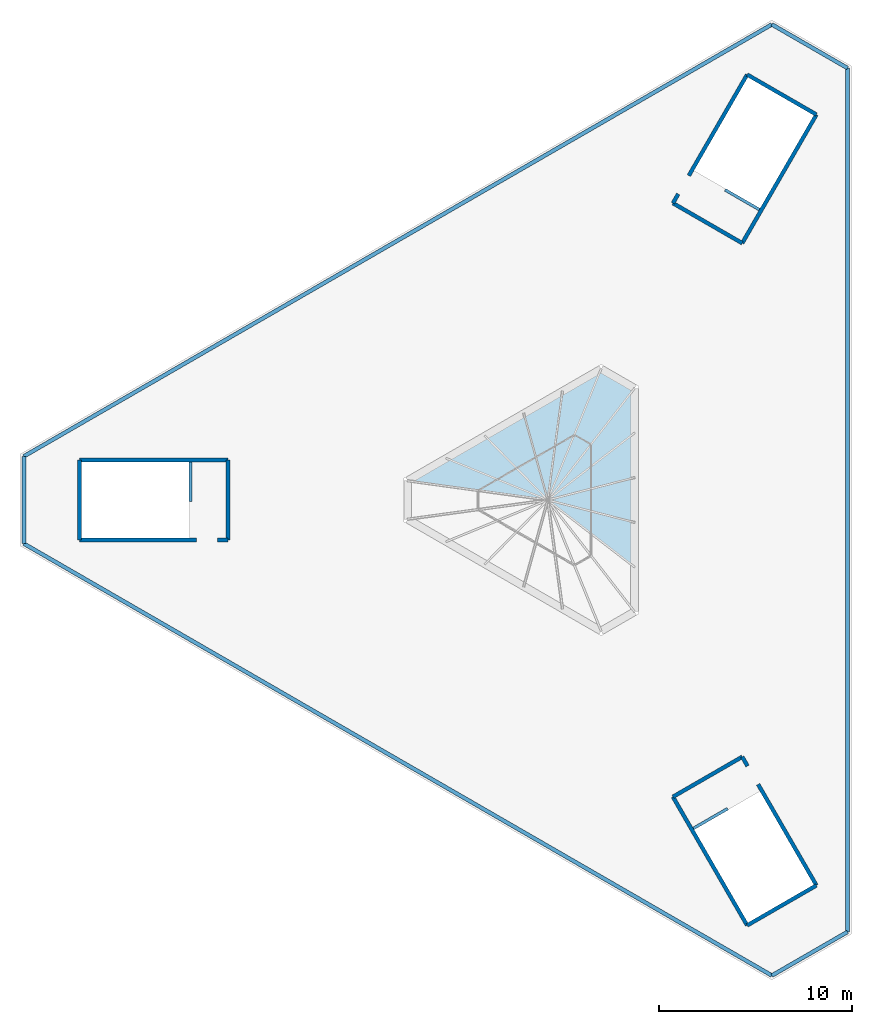
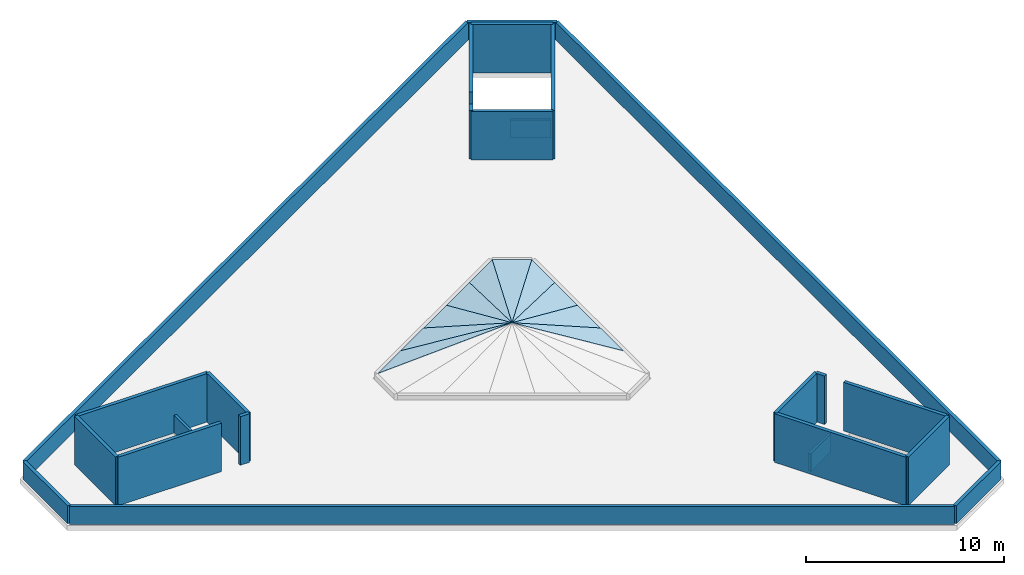
# One storey, part 2 of 2: 24 walls, 10 plates, 10 elements without a shape of their own.
"""IFC4 building model written with IfcOpenShell, lengths in metres."""

from ifc_helpers import new_model, si_unit, direction, frame, frame_2d, origin, place, context, subcontext, project, spatial, polyline, rectangle, outline, extrude, material, layer, layer_set, type_object, element, aggregate, save


model = new_model("IFC4")

# Units and contexts
model_context = context("Model", 3, precision=1e-05, world=origin(), true_north=direction((0.0, 1.0)))
body_context = subcontext(model_context, "Body", "Model", "MODEL_VIEW")
ifc_project = project(units=[si_unit("LENGTHUNIT", "METRE"), si_unit("AREAUNIT", "SQUARE_METRE"), si_unit("VOLUMEUNIT", "CUBIC_METRE"), si_unit("PLANEANGLEUNIT", "RADIAN"), si_unit("MASSUNIT", "GRAM", prefix="KILO")], contexts=[model_context])

# Site, building, storey
site_placement = place(None, origin())
site = spatial("IfcSite", under=ifc_project, at=site_placement, CompositionType="ELEMENT")
building_placement = place(site_placement, origin())
building = spatial("IfcBuilding", under=site, at=building_placement, Name="Jabali Bay Hotel Tower and Convention Centre", CompositionType="ELEMENT")
storey_placement = place(building_placement, frame((0.0, 0.0, 322.300048828125)))
storey = spatial("IfcBuildingStorey", under=building, at=storey_placement, Name="Roof", CompositionType="ELEMENT", Elevation=322.300048828125)

# Curtain wall, plate
ifc_material_1 = material(Name="Steel and glass", Category="steel")
ifc_layer_1 = layer(ifc_material_1, 0.199951171875)
ifc_layer_set_1 = layer_set([ifc_layer_1], Name="Steel and glass")
curtain_wall_type = type_object("IfcCurtainWallType", Name="CW7 sloped glazing", PredefinedType="NOTDEFINED", material=ifc_layer_set_1)
curtain_wall_1_placement = place(storey_placement, origin())
curtain_wall_1 = element("IfcCurtainWall", 1, at=curtain_wall_1_placement, inside=storey, type_object=curtain_wall_type, Name="CW7 sloped glazing atrium roof", PredefinedType="NOTDEFINED")
ifc_material_2 = material(Name="Glass", Category="glass")
ifc_layer_2 = layer(ifc_material_2, 0.0400390625)
ifc_layer_set_2 = layer_set([ifc_layer_2], Name="Glass")
plate_type = type_object("IfcPlateType", Name="CW7 glass panel 40", PredefinedType="CURTAIN_PANEL", material=ifc_layer_set_2)
plate_1_placement = place(storey_placement, frame((79.5, 76.5234375, 0.300048828125), z_axis=(0.257652862255, 0.0, 0.966237549763), x_axis=(0.0, 1.0, 0.0)))
plate_1 = element("IfcPlate", 2, at=plate_1_placement, type_object=plate_type, Name="Atrium skylight panel", PredefinedType="CURTAIN_PANEL", context=body_context, shape_type="SweptSolid", body=[
    extrude(outline(polyline([(0.0, 0.0), (2.31787109375, 0.0), (3.4765625, 4.6572265625), (0.0, 0.0)])), origin(), (0.0, 0.0, -1.0), 0.0400390625),
])
aggregate(curtain_wall_1, [plate_1])

curtain_wall_2_placement = place(storey_placement, origin())
curtain_wall_2 = element("IfcCurtainWall", 3, at=curtain_wall_2_placement, inside=storey, type_object=curtain_wall_type, Name="CW7 sloped glazing atrium roof", PredefinedType="NOTDEFINED")
plate_2_placement = place(storey_placement, frame((79.5, 78.84130859375, 0.300048828125), z_axis=(0.257652862255, 0.0, 0.966237549763), x_axis=(0.0, 1.0, 0.0)))
plate_2 = element("IfcPlate", 4, at=plate_2_placement, type_object=plate_type, Name="Atrium skylight panel", PredefinedType="CURTAIN_PANEL", context=body_context, shape_type="SweptSolid", body=[
    extrude(outline(polyline([(0.0, 0.0), (2.3173828125, 0.0), (1.15869140625, 4.6572265625), (0.0, 0.0)])), origin(), (0.0, 0.0, -1.0), 0.0400390625),
])
aggregate(curtain_wall_2, [plate_2])

curtain_wall_3_placement = place(storey_placement, origin())
curtain_wall_3 = element("IfcCurtainWall", 5, at=curtain_wall_3_placement, inside=storey, type_object=curtain_wall_type, Name="CW7 sloped glazing atrium roof", PredefinedType="NOTDEFINED")
plate_3_placement = place(storey_placement, frame((79.5, 81.15869140625, 0.300048828125), z_axis=(0.257652862255, 0.0, 0.966237549763), x_axis=(0.0, 1.0, 0.0)))
plate_3 = element("IfcPlate", 6, at=plate_3_placement, type_object=plate_type, Name="Atrium skylight panel", PredefinedType="CURTAIN_PANEL", context=body_context, shape_type="SweptSolid", body=[
    extrude(outline(polyline([(0.0, 0.0), (2.31787109375, 0.0), (-1.15869140625, 4.6572265625), (0.0, 0.0)])), origin(), (0.0, 0.0, -1.0), 0.0400390625),
])
aggregate(curtain_wall_3, [plate_3])

curtain_wall_4_placement = place(storey_placement, origin())
curtain_wall_4 = element("IfcCurtainWall", 7, at=curtain_wall_4_placement, inside=storey, type_object=curtain_wall_type, Name="CW7 sloped glazing atrium roof", PredefinedType="NOTDEFINED")
plate_4_placement = place(storey_placement, frame((79.5, 83.4765625, 0.300048828125), z_axis=(0.257652862255, 0.0, 0.966237549763), x_axis=(0.0, 1.0, 0.0)))
plate_4 = element("IfcPlate", 8, at=plate_4_placement, type_object=plate_type, Name="Atrium skylight panel", PredefinedType="CURTAIN_PANEL", context=body_context, shape_type="SweptSolid", body=[
    extrude(outline(polyline([(0.0, 0.0), (2.317626953125, 0.0), (-3.4765625, 4.6572265625), (0.0, 0.0)])), origin(), (0.0, 0.0, -1.0), 0.0400390625),
])
aggregate(curtain_wall_4, [plate_4])

curtain_wall_5_placement = place(storey_placement, origin())
curtain_wall_5 = element("IfcCurtainWall", 9, at=curtain_wall_5_placement, inside=storey, type_object=curtain_wall_type, Name="CW7 sloped glazing atrium roof", PredefinedType="NOTDEFINED")
plate_5_placement = place(storey_placement, frame((79.5, 85.794189453125, 0.300048828125), z_axis=(0.081444499003, 0.14107634776, 0.986642923091), x_axis=(-0.866041268327, 0.499972520799, 0.0)))
plate_5 = element("IfcPlate", 10, at=plate_5_placement, type_object=plate_type, Name="Atrium skylight panel", PredefinedType="CURTAIN_PANEL", context=body_context, shape_type="SweptSolid", body=[
    extrude(outline(polyline([(0.0, 0.0), (2.0, 0.0), (1.000244140625, 7.3662109375), (0.0, 0.0)])), origin(), (0.0, 0.0, -1.0), 0.0400390625),
])
aggregate(curtain_wall_5, [plate_5])

curtain_wall_6_placement = place(storey_placement, origin())
curtain_wall_6 = element("IfcCurtainWall", 11, at=curtain_wall_6_placement, inside=storey, type_object=curtain_wall_type, Name="CW7 sloped glazing atrium roof", PredefinedType="NOTDEFINED")
plate_6_placement = place(storey_placement, frame((77.767822265625, 86.794189453125, 0.300048828125), z_axis=(-0.128811966942, 0.223127513744, 0.966240958448), x_axis=(-0.866043492773, -0.499968667644, 0.0)))
plate_6 = element("IfcPlate", 12, at=plate_6_placement, type_object=plate_type, Name="Atrium skylight panel", PredefinedType="CURTAIN_PANEL", context=body_context, shape_type="SweptSolid", body=[
    extrude(outline(polyline([(0.0, 0.0), (2.317626953125, 0.0), (5.7939453125, 4.657470703125), (0.0, 0.0)])), origin(), (0.0, 0.0, -1.0), 0.0400390625),
])
aggregate(curtain_wall_6, [plate_6])

curtain_wall_7_placement = place(storey_placement, origin())
curtain_wall_7 = element("IfcCurtainWall", 13, at=curtain_wall_7_placement, inside=storey, type_object=curtain_wall_type, Name="CW7 sloped glazing atrium roof", PredefinedType="NOTDEFINED")
plate_7_placement = place(storey_placement, frame((75.7607421875, 85.635498046875, 0.300048828125), z_axis=(-0.128840799718, 0.223130443328, 0.966236437725), x_axis=(-0.865997877636, -0.500047673657, 0.0)))
plate_7 = element("IfcPlate", 14, at=plate_7_placement, type_object=plate_type, Name="Atrium skylight panel", PredefinedType="CURTAIN_PANEL", context=body_context, shape_type="SweptSolid", body=[
    extrude(outline(polyline([(0.0, 0.0), (2.317626953125, 0.0), (3.476806640625, 4.6572265625), (0.0, 0.0)])), origin(), (0.0, 0.0, -1.0), 0.0400390625),
])
aggregate(curtain_wall_7, [plate_7])

curtain_wall_8_placement = place(storey_placement, origin())
curtain_wall_8 = element("IfcCurtainWall", 15, at=curtain_wall_8_placement, inside=storey, type_object=curtain_wall_type, Name="CW7 sloped glazing atrium roof", PredefinedType="NOTDEFINED")
plate_8_placement = place(storey_placement, frame((73.753662109375, 84.4765625, 0.300048828125), z_axis=(-0.128827415555, 0.223134402926, 0.966237307928), x_axis=(-0.866024213985, -0.500002060787, 0.0)))
plate_8 = element("IfcPlate", 16, at=plate_8_placement, type_object=plate_type, Name="Atrium skylight panel", PredefinedType="CURTAIN_PANEL", context=body_context, shape_type="SweptSolid", body=[
    extrude(outline(polyline([(0.0, 0.0), (2.31787109375, 0.0), (1.158935546875, 4.6572265625), (0.0, 0.0)])), origin(), (0.0, 0.0, -1.0), 0.0400390625),
])
aggregate(curtain_wall_8, [plate_8])

curtain_wall_9_placement = place(storey_placement, origin())
curtain_wall_9 = element("IfcCurtainWall", 17, at=curtain_wall_9_placement, inside=storey, type_object=curtain_wall_type, Name="CW7 sloped glazing atrium roof", PredefinedType="NOTDEFINED")
plate_9_placement = place(storey_placement, frame((71.746337890625, 83.317626953125, 0.300048828125), z_axis=(-0.128837536424, 0.223124791857, 0.966238177918), x_axis=(-0.865997877636, -0.500047673657, 0.0)))
plate_9 = element("IfcPlate", 18, at=plate_9_placement, type_object=plate_type, Name="Atrium skylight panel", PredefinedType="CURTAIN_PANEL", context=body_context, shape_type="SweptSolid", body=[
    extrude(outline(polyline([(0.0, 0.0), (2.317626953125, 0.0), (-1.15869140625, 4.6572265625), (0.0, 0.0)])), origin(), (0.0, 0.0, -1.0), 0.0400390625),
])
aggregate(curtain_wall_9, [plate_9])

curtain_wall_10_placement = place(storey_placement, origin())
curtain_wall_10 = element("IfcCurtainWall", 19, at=curtain_wall_10_placement, inside=storey, type_object=curtain_wall_type, Name="CW7 sloped glazing atrium roof", PredefinedType="NOTDEFINED")
plate_10_placement = place(storey_placement, frame((69.7392578125, 82.15869140625, 0.300048828125), z_axis=(-0.128825657308, 0.223151228135, 0.966233656732), x_axis=(-0.866043492773, -0.499968667644, 0.0)))
plate_10 = element("IfcPlate", 20, at=plate_10_placement, type_object=plate_type, Name="Atrium skylight panel", PredefinedType="CURTAIN_PANEL", context=body_context, shape_type="SweptSolid", body=[
    extrude(outline(polyline([(0.0, 0.0), (2.317626953125, 0.0), (-3.476806640625, 4.656982421875), (0.0, 0.0)])), origin(), (0.0, 0.0, -1.0), 0.0400390625),
])
aggregate(curtain_wall_10, [plate_10])

# Walls
ifc_material_3 = material(Name="Concrete C40", Category="concrete")
ifc_layer_3 = layer(ifc_material_3, 0.199951171875)
ifc_layer_set_3 = layer_set([ifc_layer_3], Name="Concrete C40")
wall_type_1 = type_object("IfcWallType", Name="Core stair wall 200", PredefinedType="SOLIDWALL", material=ifc_layer_set_3)
wall_1_placement = place(storey_placement, frame((58.419921875, 82.074951171875, 0.0), z_axis=(0.0, 0.0, 1.0), x_axis=(-1.0, 0.0, 0.0)))
element("IfcWall", 21, at=wall_1_placement, inside=storey, type_object=wall_type_1, Name="Stair 1 head-house wall 1", PredefinedType="SOLIDWALL", context=body_context, shape_type="SweptSolid", body=[
    extrude(rectangle(XDim=7.699951171875, YDim=0.199951171875, at=frame_2d((3.85009765625, 0.0))), origin(), (0.0, 0.0, 1.0), 3.0),
])
wall_2_placement = place(storey_placement, frame((50.719970703125, 82.074951171875, 0.0), z_axis=(0.0, 0.0, 1.0), x_axis=(0.0, -1.0, 0.0)))
element("IfcWall", 22, at=wall_2_placement, inside=storey, type_object=wall_type_1, Name="Stair 1 head-house wall 2", PredefinedType="SOLIDWALL", context=body_context, shape_type="SweptSolid", body=[
    extrude(rectangle(XDim=4.14990234375, YDim=0.199951171875, at=frame_2d((2.074951171875, 0.0))), origin(), (0.0, 0.0, 1.0), 3.0),
])
wall_3_placement = place(storey_placement, frame((50.719970703125, 77.925048828125, 0.0), z_axis=(0.0, 0.0, 1.0), x_axis=(1.0, 0.0, 0.0)))
element("IfcWall", 23, at=wall_3_placement, inside=storey, type_object=wall_type_1, Name="Stair 1 head-house wall 3.1", PredefinedType="SOLIDWALL", context=body_context, shape_type="SweptSolid", body=[
    extrude(rectangle(XDim=6.050048828125, YDim=0.199951171875, at=frame_2d((3.02490234375, 0.0))), origin(), (0.0, 0.0, 1.0), 3.0),
])
wall_4_placement = place(storey_placement, frame((57.8701171875, 77.925048828125, 0.0), z_axis=(0.0, 0.0, 1.0), x_axis=(1.0, 0.0, 0.0)))
element("IfcWall", 24, at=wall_4_placement, inside=storey, type_object=wall_type_1, Name="Stair 1 head-house wall 3.2", PredefinedType="SOLIDWALL", context=body_context, shape_type="SweptSolid", body=[
    extrude(rectangle(XDim=0.5498046875, YDim=0.199951171875, at=frame_2d((0.27490234375, 0.0))), origin(), (0.0, 0.0, 1.0), 3.0),
])
wall_5_placement = place(storey_placement, frame((58.419921875, 77.925048828125, 0.0), z_axis=(0.0, 0.0, 1.0), x_axis=(0.0, 1.0, 0.0)))
element("IfcWall", 25, at=wall_5_placement, inside=storey, type_object=wall_type_1, Name="Stair 1 head-house wall 4", PredefinedType="SOLIDWALL", context=body_context, shape_type="SweptSolid", body=[
    extrude(rectangle(XDim=4.14990234375, YDim=0.199951171875, at=frame_2d((2.074951171875, 0.0))), origin(), (0.0, 0.0, 1.0), 3.0),
])
wall_6_placement = place(storey_placement, frame((85.0869140625, 93.3212890625, 0.0), z_axis=(0.0, 0.0, 1.0), x_axis=(0.500019787375, 0.866013979237, 0.0)))
element("IfcWall", 26, at=wall_6_placement, inside=storey, type_object=wall_type_1, Name="Stair 2 head-house wall 1", PredefinedType="SOLIDWALL", context=body_context, shape_type="SweptSolid", body=[
    extrude(rectangle(XDim=7.699951171875, YDim=0.199951171875, at=frame_2d((3.85009765625, 0.0))), origin(), (0.0, 0.0, 1.0), 3.0),
])
wall_7_placement = place(storey_placement, frame((88.93701171875, 99.989501953125, 0.0), z_axis=(0.0, 0.0, 1.0), x_axis=(-0.866004344652, 0.500036473714, 0.0)))
element("IfcWall", 27, at=wall_7_placement, inside=storey, type_object=wall_type_1, Name="Stair 2 head-house wall 2", PredefinedType="SOLIDWALL", context=body_context, shape_type="SweptSolid", body=[
    extrude(rectangle(XDim=4.150146484375, YDim=0.199951171875, at=frame_2d((2.0751953125, 0.0))), origin(), (0.0, 0.0, 1.0), 3.0),
])
wall_8_placement = place(storey_placement, frame((85.343017578125, 102.064697265625, 0.0), z_axis=(0.0, 0.0, 1.0), x_axis=(-0.499984439657, -0.866034387366, 0.0)))
element("IfcWall", 28, at=wall_8_placement, inside=storey, type_object=wall_type_1, Name="Stair 2 head-house wall 3.1", PredefinedType="SOLIDWALL", context=body_context, shape_type="SweptSolid", body=[
    extrude(rectangle(XDim=6.050048828125, YDim=0.199951171875, at=frame_2d((3.02490234375, 0.0))), origin(), (0.0, 0.0, 1.0), 3.0),
])
wall_9_placement = place(storey_placement, frame((81.76806640625, 95.87255859375, 0.0), z_axis=(0.0, 0.0, 1.0), x_axis=(-0.500196256984, -0.865912065108, 0.0)))
element("IfcWall", 29, at=wall_9_placement, inside=storey, type_object=wall_type_1, Name="Stair 2 head-house wall 3.2", PredefinedType="SOLIDWALL", context=body_context, shape_type="SweptSolid", body=[
    extrude(rectangle(XDim=0.550048828125, YDim=0.199951171875, at=frame_2d((0.27490234375, 0.0))), origin(), (0.0, 0.0, 1.0), 3.0),
])
wall_10_placement = place(storey_placement, frame((81.492919921875, 95.396240234375, 0.0), z_axis=(0.0, 0.0, 1.0), x_axis=(0.86602981871, -0.499992353047, 0.0)))
element("IfcWall", 30, at=wall_10_placement, inside=storey, type_object=wall_type_1, Name="Stair 2 head-house wall 4", PredefinedType="SOLIDWALL", context=body_context, shape_type="SweptSolid", body=[
    extrude(rectangle(XDim=4.14990234375, YDim=0.199951171875, at=frame_2d((2.074951171875, 0.0))), origin(), (0.0, 0.0, 1.0), 3.0),
])
wall_11_placement = place(storey_placement, frame((81.492919921875, 64.603759765625, 0.0), z_axis=(0.0, 0.0, 1.0), x_axis=(0.500006057782, -0.866021906294, 0.0)))
element("IfcWall", 31, at=wall_11_placement, inside=storey, type_object=wall_type_1, Name="Stair 3 head-house wall 1", PredefinedType="SOLIDWALL", context=body_context, shape_type="SweptSolid", body=[
    extrude(rectangle(XDim=7.7001953125, YDim=0.199951171875, at=frame_2d((3.85009765625, 0.0))), origin(), (0.0, 0.0, 1.0), 3.0),
])
wall_12_placement = place(storey_placement, frame((85.343017578125, 57.935302734375, 0.0), z_axis=(0.0, 0.0, 1.0), x_axis=(0.866004344652, 0.500036473714, 0.0)))
element("IfcWall", 32, at=wall_12_placement, inside=storey, type_object=wall_type_1, Name="Stair 3 head-house wall 2", PredefinedType="SOLIDWALL", context=body_context, shape_type="SweptSolid", body=[
    extrude(rectangle(XDim=4.150146484375, YDim=0.199951171875, at=frame_2d((2.0751953125, 0.0))), origin(), (0.0, 0.0, 1.0), 3.0),
])
wall_13_placement = place(storey_placement, frame((88.93701171875, 60.010498046875, 0.0), z_axis=(0.0, 0.0, 1.0), x_axis=(-0.500001913541, 0.866024298998, 0.0)))
element("IfcWall", 33, at=wall_13_placement, inside=storey, type_object=wall_type_1, Name="Stair 3 head-house wall 3.1", PredefinedType="SOLIDWALL", context=body_context, shape_type="SweptSolid", body=[
    extrude(rectangle(XDim=6.0498046875, YDim=0.199951171875, at=frame_2d((3.02490234375, 0.0))), origin(), (0.0, 0.0, 1.0), 3.0),
])
wall_14_placement = place(storey_placement, frame((85.362060546875, 66.202392578125, 0.0), z_axis=(0.0, 0.0, 1.0), x_axis=(-0.500196256984, 0.865912065108, 0.0)))
element("IfcWall", 34, at=wall_14_placement, inside=storey, type_object=wall_type_1, Name="Stair 3 head-house wall 3.2", PredefinedType="SOLIDWALL", context=body_context, shape_type="SweptSolid", body=[
    extrude(rectangle(XDim=0.550048828125, YDim=0.199951171875, at=frame_2d((0.27490234375, 0.0))), origin(), (0.0, 0.0, 1.0), 3.0),
])
wall_15_placement = place(storey_placement, frame((85.0869140625, 66.6787109375, 0.0), z_axis=(0.0, 0.0, 1.0), x_axis=(-0.86602981871, -0.499992353047, 0.0)))
element("IfcWall", 35, at=wall_15_placement, inside=storey, type_object=wall_type_1, Name="Stair 3 head-house wall 4", PredefinedType="SOLIDWALL", context=body_context, shape_type="SweptSolid", body=[
    extrude(rectangle(XDim=4.14990234375, YDim=0.199951171875, at=frame_2d((2.074951171875, 0.0))), origin(), (0.0, 0.0, 1.0), 3.0),
])
ifc_layer_4 = layer(ifc_material_3, 0.199951171875)
ifc_layer_set_4 = layer_set([ifc_layer_4], Name="Concrete C40")
wall_type_2 = type_object("IfcWallType", Name="Roof parapet 200", PredefinedType="PARAPET", material=ifc_layer_set_4)
wall_16_placement = place(storey_placement, frame((90.548828125, 57.59912109375, 0.0), z_axis=(0.0, 0.0, 1.0), x_axis=(0.0, 1.0, 0.0)))
element("IfcWall", 36, at=wall_16_placement, inside=storey, type_object=wall_type_2, Name="Roof parapet east face", PredefinedType="PARAPET", context=body_context, shape_type="SweptSolid", body=[
    extrude(rectangle(XDim=44.8017578125, YDim=0.199951171875, at=frame_2d((22.40087890625, 0.0))), origin(), (0.0, 0.0, 1.0), 1.099853515625),
])
wall_17_placement = place(storey_placement, frame((90.548828125, 102.40087890625, 0.0), z_axis=(0.0, 0.0, 1.0), x_axis=(-0.86603931482, 0.499975904605, 0.0)))
element("IfcWall", 37, at=wall_17_placement, inside=storey, type_object=wall_type_2, Name="Roof parapet north-east chamfer", PredefinedType="PARAPET", context=body_context, shape_type="SweptSolid", body=[
    extrude(rectangle(XDim=4.530517578125, YDim=0.199951171875, at=frame_2d((2.26513671875, 0.0))), origin(), (0.0, 0.0, 1.0), 1.099853515625),
])
wall_18_placement = place(storey_placement, frame((86.625244140625, 104.666015625, 0.0), z_axis=(0.0, 0.0, 1.0), x_axis=(-0.866024600277, -0.500001391713, 0.0)))
element("IfcWall", 38, at=wall_18_placement, inside=storey, type_object=wall_type_2, Name="Roof parapet north-west face", PredefinedType="PARAPET", context=body_context, shape_type="SweptSolid", body=[
    extrude(rectangle(XDim=44.801513671875, YDim=0.199951171875, at=frame_2d((22.40087890625, 0.0))), origin(), (0.0, 0.0, 1.0), 1.099853515625),
])
wall_19_placement = place(storey_placement, frame((47.825927734375, 82.26513671875, 0.0), z_axis=(0.0, 0.0, 1.0), x_axis=(0.0, -1.0, 0.0)))
element("IfcWall", 39, at=wall_19_placement, inside=storey, type_object=wall_type_2, Name="Roof parapet west chamfer", PredefinedType="PARAPET", context=body_context, shape_type="SweptSolid", body=[
    extrude(rectangle(XDim=4.5302734375, YDim=0.199951171875, at=frame_2d((2.26513671875, 0.0))), origin(), (0.0, 0.0, 1.0), 1.099853515625),
])
wall_20_placement = place(storey_placement, frame((47.825927734375, 77.73486328125, 0.0), z_axis=(0.0, 0.0, 1.0), x_axis=(0.866024600277, -0.500001391713, 0.0)))
element("IfcWall", 40, at=wall_20_placement, inside=storey, type_object=wall_type_2, Name="Roof parapet south-west face", PredefinedType="PARAPET", context=body_context, shape_type="SweptSolid", body=[
    extrude(rectangle(XDim=44.801513671875, YDim=0.199951171875, at=frame_2d((22.40087890625, 0.0))), origin(), (0.0, 0.0, 1.0), 1.099853515625),
])
wall_21_placement = place(storey_placement, frame((86.625244140625, 55.333984375, 0.0), z_axis=(0.0, 0.0, 1.0), x_axis=(0.86603931482, 0.499975904605, 0.0)))
element("IfcWall", 41, at=wall_21_placement, inside=storey, type_object=wall_type_2, Name="Roof parapet south-east chamfer", PredefinedType="PARAPET", context=body_context, shape_type="SweptSolid", body=[
    extrude(rectangle(XDim=4.530517578125, YDim=0.199951171875, at=frame_2d((2.26513671875, 0.0))), origin(), (0.0, 0.0, 1.0), 1.099853515625),
])
ifc_layer_5 = layer(ifc_material_3, 0.14990234375)
ifc_layer_set_5 = layer_set([ifc_layer_5], Name="Concrete C40")
wall_type_3 = type_object("IfcWallType", Name="Stair well parapet 150", PredefinedType="PARAPET", material=ifc_layer_set_5)
for number, where, z_axis, x_axis, name in (
    (42, (56.469970703125, 81.97509765625, 0.0), (0.0, 0.0, 1.0), (0.0, -1.0, 0.0), "Roof ST1 stair well parapet 1"),
    (43, (85.975341796875, 95.06005859375, 0.0), (0.0, 0.0, 1.0), (-0.866050731258, 0.499956128963, 0.0), "Roof ST2 stair well parapet 1"),
):
    element("IfcWall", number, at=place(storey_placement, frame(where, z_axis=z_axis, x_axis=x_axis)), inside=storey, type_object=wall_type_3, Name=name, PredefinedType="PARAPET", context=body_context, shape_type="SweptSolid", body=[
        extrude(rectangle(XDim=2.050048828125, YDim=0.14990234375, at=frame_2d((1.02490234375, 0.0))), origin(), (0.0, 0.0, 1.0), 1.099853515625),
    ])
wall_22_placement = place(storey_placement, frame((82.5546875, 62.965087890625, 0.0), z_axis=(0.0, 0.0, 1.0), x_axis=(0.866020958405, 0.500007699544, 0.0)))
element("IfcWall", 44, at=wall_22_placement, inside=storey, type_object=wall_type_3, Name="Roof ST3 stair well parapet 1", PredefinedType="PARAPET", context=body_context, shape_type="SweptSolid", body=[
    extrude(rectangle(XDim=2.0498046875, YDim=0.14990234375, at=frame_2d((1.02490234375, 0.0))), origin(), (0.0, 0.0, 1.0), 1.099853515625),
])

save(model, "model.ifc")
